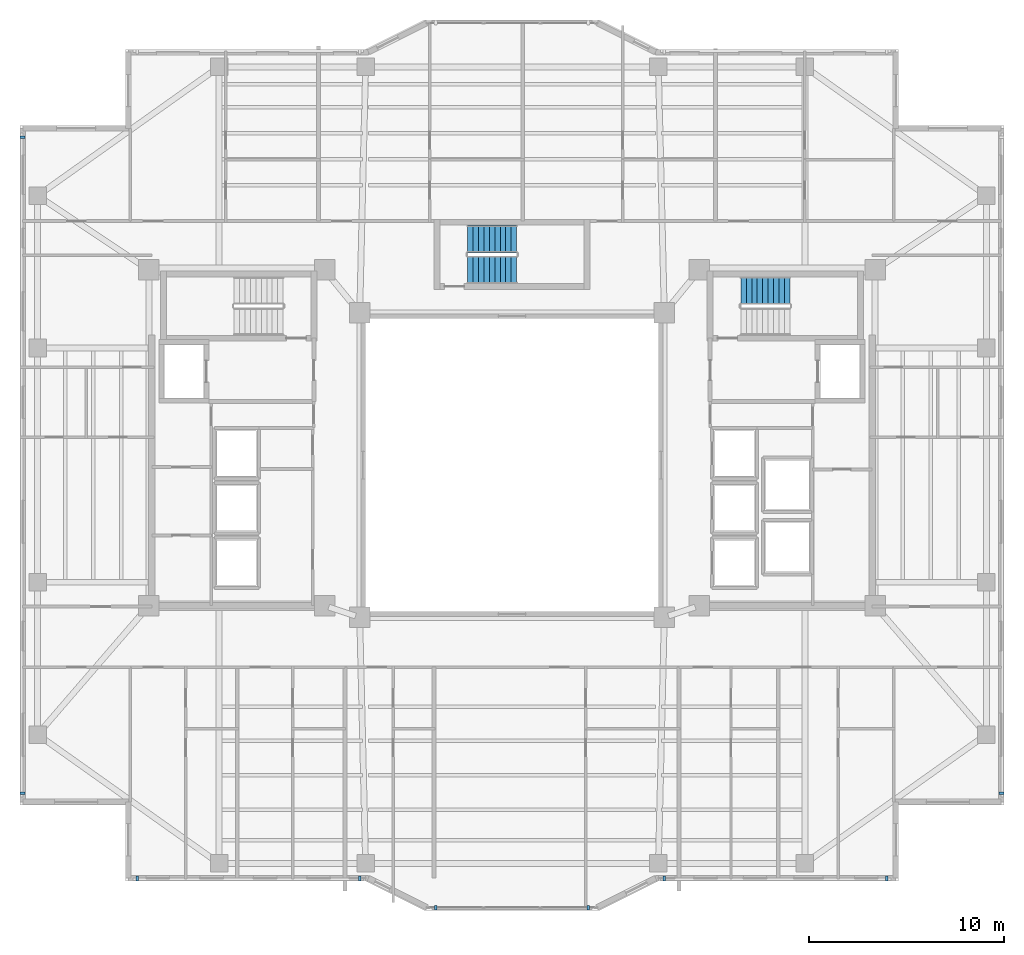
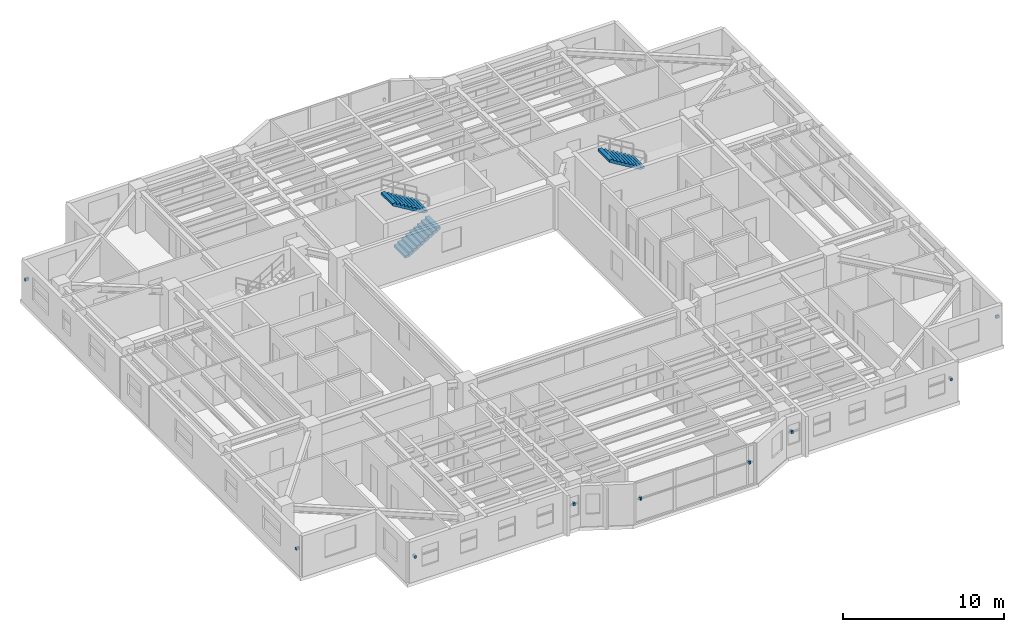
# One storey, part 12 of 16: 9 discrete accessories, 3 stair flights, 2 elements without a shape of their own.
"""IFC4 building model written with IfcOpenShell, lengths in metres."""

import ifcopenshell
import ifcopenshell.guid

model = None  # the IFC model being written
_history = None  # IfcOwnerHistory: only IFC2X3 demands one
_inside = {}  # id of a spatial element -> (the spatial element, [elements in it])
_under = {}  # id of a project, library or spatial element -> (it, [spatial elements below it])
_declared = {}  # id of a project -> (the project, [libraries it declares])
_typed = {}  # id of a type object -> (the type object, [elements of that type])
_made_of = {}  # id of a material, layer set ... -> (it, [elements and type objects made of it])


def new_model(schema):
    """Start an empty IFC model of exactly this schema.

    Asked for "IFC4X3", IfcOpenShell would pick the latest addendum, in which some entities
    have other attributes; the version numbers below select the first issue.
    IFC2X3 requires an IfcOwnerHistory on every rooted entity: one is made here for all.
    """
    global model, _history
    if schema == "IFC4X3":
        model = ifcopenshell.file(schema_version=(4, 3, 0, 0))
    else:
        model = ifcopenshell.file(schema=schema)
    _inside.clear()
    _under.clear()
    _declared.clear()
    _typed.clear()
    _made_of.clear()
    _history = None
    if model.schema == "IFC2X3":
        org = make("IfcOrganization", Name="unknown")
        user = make(
            "IfcPersonAndOrganization",
            ThePerson=make("IfcPerson", FamilyName="unknown"),
            TheOrganization=org,
        )
        app = make(
            "IfcApplication",
            ApplicationDeveloper=org,
            Version="unknown",
            ApplicationFullName="unknown",
            ApplicationIdentifier="unknown",
        )
        _history = make(
            "IfcOwnerHistory",
            OwningUser=user,
            OwningApplication=app,
            ChangeAction="ADDED",
            CreationDate=0,
        )
    return model


def make(cls, **values):
    """One entity of the class cls with the attributes given. An attribute that is None is left unset."""
    return model.create_entity(
        cls, **{name: value for name, value in values.items() if value is not None}
    )


def rooted(cls, **values):
    """An entity with a GlobalId (a new one), such as an element, a storey or a relation."""
    return make(cls, GlobalId=ifcopenshell.guid.new(), OwnerHistory=_history, **values)


def si_unit(unit_type, name, prefix=None):
    """IfcSIUnit, for example si_unit("LENGTHUNIT", "METRE", prefix="MILLI")."""
    return make("IfcSIUnit", UnitType=unit_type, Prefix=prefix, Name=name)


def assignment(units):
    """IfcUnitAssignment: the units of a project."""
    return None if units is None else make("IfcUnitAssignment", Units=units)


def point(xyz):
    """IfcCartesianPoint."""
    return None if xyz is None else make("IfcCartesianPoint", Coordinates=xyz)


def direction(xyz):
    """IfcDirection."""
    return None if xyz is None else make("IfcDirection", DirectionRatios=xyz)


def frame(location, z_axis=None, x_axis=None):
    """IfcAxis2Placement3D, a coordinate frame: its origin and axes. An axis left out is left unset."""
    return make(
        "IfcAxis2Placement3D",
        Location=point(location),
        Axis=direction(z_axis),
        RefDirection=direction(x_axis),
    )


def frame_2d(location, x_axis=None):
    """IfcAxis2Placement2D, a coordinate frame in the plane: its origin and x axis."""
    return make(
        "IfcAxis2Placement2D", Location=point(location), RefDirection=direction(x_axis)
    )


def origin():
    """The frame at (0, 0, 0) with its axes left unset."""
    return frame((0.0, 0.0, 0.0))


def origin_2d():
    """The frame at (0, 0) in the plane with its x axis left unset."""
    return frame_2d((0.0, 0.0))


def place(relative_to, where):
    """IfcLocalPlacement: puts the frame where relative to a parent placement (None: the world)."""
    return make(
        "IfcLocalPlacement", PlacementRelTo=relative_to, RelativePlacement=where
    )


def context(
    kind, dimensions, precision=None, world=None, true_north=None, identifier=None
):
    """IfcGeometricRepresentationContext, for example the 3D "Model" context."""
    return make(
        "IfcGeometricRepresentationContext",
        ContextIdentifier=identifier,
        ContextType=kind,
        CoordinateSpaceDimension=dimensions,
        Precision=precision,
        WorldCoordinateSystem=world,
        TrueNorth=true_north,
    )


def subcontext(parent, identifier, kind, view, scale=None):
    """IfcGeometricRepresentationSubContext, for example "Body" below "Model"."""
    return make(
        "IfcGeometricRepresentationSubContext",
        ContextIdentifier=identifier,
        ContextType=kind,
        ParentContext=parent,
        TargetScale=scale,
        TargetView=view,
    )


def project(units=None, contexts=None):
    """IfcProject with its units and contexts."""
    return rooted(
        "IfcProject",
        Name="project",
        RepresentationContexts=contexts,
        UnitsInContext=assignment(units),
    )


def spatial(cls, under=None, at=None, **own):
    """A site, building, storey or space (cls), placed at a placement, below another one or the project."""
    s = rooted(cls, ObjectPlacement=at, **own)
    if under is not None:
        _under.setdefault(under.id(), (under, []))[1].append(s)
    return s


def polyline(points):
    """IfcPolyline through the points."""
    return make("IfcPolyline", Points=[point(p) for p in points])


def profile(cls, at=None, kind="AREA", **sizes):
    """A parametric profile (cls). Its sizes go by their IFC names, for example OverallWidth=200.0."""
    return make(cls, ProfileType=kind, Position=at, **sizes)


def rectangle(**sizes):
    """IfcRectangleProfileDef."""
    return profile("IfcRectangleProfileDef", **sizes)


def outline(outer, holes=None, kind="AREA"):
    """IfcArbitraryClosedProfileDef: a profile drawn as a closed curve; with holes, ...WithVoids."""
    if holes is None:
        return make("IfcArbitraryClosedProfileDef", ProfileType=kind, OuterCurve=outer)
    return make(
        "IfcArbitraryProfileDefWithVoids",
        ProfileType=kind,
        OuterCurve=outer,
        InnerCurves=holes,
    )


def extrude(swept, where, along, depth):
    """IfcExtrudedAreaSolid: the profile swept, set in the frame where, extruded along a direction by depth."""
    return make(
        "IfcExtrudedAreaSolid",
        SweptArea=swept,
        Position=where,
        ExtrudedDirection=direction(along),
        Depth=depth,
    )


def shape(context_of_items, identifier, shape_type, items):
    """IfcShapeRepresentation: the items that make up one representation, for example the "Body"."""
    return make(
        "IfcShapeRepresentation",
        ContextOfItems=context_of_items,
        RepresentationIdentifier=identifier,
        RepresentationType=shape_type,
        Items=items,
    )


def material(Name=None, Category=None):
    """IfcMaterial."""
    return make("IfcMaterial", Name=Name, Category=Category)


def made_of(thing, what):
    """Note that an element or type object is made of a material, layer set ...; save() writes the relation."""
    if what is not None:
        _made_of.setdefault(what.id(), (what, []))[1].append(thing)
    return thing


def type_object(cls, material=None, **own):
    """A type object (cls), such as IfcWallType, which elements share."""
    return made_of(rooted(cls, **own), material)


def element(
    cls,
    number,
    at=None,
    inside=None,
    cuts=None,
    type_object=None,
    material=None,
    context=None,
    identifier="Body",
    shape_type=None,
    held_by="IfcProductDefinitionShape",
    body=None,
    shapes=None,
    **own,
):
    """One element of the class cls, such as IfcWall. Its Tag is "e" and its number.

    at: its placement. inside: the storey or other place that contains it. cuts: it is an
    opening in that element (IfcRelVoidsElement). A single representation is given by context,
    identifier, shape_type and body (its items); several are given by shapes. held_by: the class
    of the entity that holds the representations. save() writes the other relations.
    """
    e = rooted(cls, Tag="e%d" % number, ObjectPlacement=at, **own)
    if body is not None:
        shapes = [shape(context, identifier, shape_type, body)]
    if shapes is not None:
        e.Representation = make(held_by, Representations=shapes)
    if inside is not None:
        _inside.setdefault(inside.id(), (inside, []))[1].append(e)
    if cuts is not None:
        rooted(
            "IfcRelVoidsElement", RelatingBuildingElement=cuts, RelatedOpeningElement=e
        )
    if type_object is not None:
        _typed.setdefault(type_object.id(), (type_object, []))[1].append(e)
    return made_of(e, material)


def aggregate(whole, parts):
    """IfcRelAggregates: a whole, such as a stair, and the parts it consists of."""
    return rooted("IfcRelAggregates", RelatingObject=whole, RelatedObjects=parts)


def save(model, path):
    """Write the relations noted so far, then the file.

    IfcRelAggregates (storeys below a building ...), IfcRelContainedInSpatialStructure (elements
    in a storey), IfcRelDefinesByType, IfcRelAssociatesMaterial and IfcRelDeclares: one each for
    every whole, place, type object, material and project.
    """
    for whole, parts in _under.values():
        aggregate(whole, parts)
    for where, things in _inside.values():
        rooted(
            "IfcRelContainedInSpatialStructure",
            RelatedElements=things,
            RelatingStructure=where,
        )
    for kind, things in _typed.values():
        rooted("IfcRelDefinesByType", RelatedObjects=things, RelatingType=kind)
    for what, things in _made_of.values():
        rooted("IfcRelAssociatesMaterial", RelatedObjects=things, RelatingMaterial=what)
    for by, libraries in _declared.values():
        rooted("IfcRelDeclares", RelatingContext=by, RelatedDefinitions=libraries)
    model.write(path)


model = new_model("IFC4")

# Units and contexts
model_context = context("Model", 3, precision=1e-05, world=origin(), true_north=direction((0.0, 1.0)))
body_context = subcontext(model_context, "Body", "Model", "MODEL_VIEW")
ifc_project = project(units=[si_unit("LENGTHUNIT", "METRE"), si_unit("AREAUNIT", "SQUARE_METRE"), si_unit("VOLUMEUNIT", "CUBIC_METRE"), si_unit("PLANEANGLEUNIT", "RADIAN"), si_unit("MASSUNIT", "GRAM", prefix="KILO")], contexts=[model_context])

# Site, building, storey
site_placement = place(None, origin())
site = spatial("IfcSite", under=ifc_project, at=site_placement, CompositionType="ELEMENT")
building_placement = place(site_placement, origin())
building = spatial("IfcBuilding", under=site, at=building_placement, Name="Tarnavaz Court Tower", CompositionType="ELEMENT")
storey_placement = place(building_placement, frame((0.0, 0.0, 135.949951171875)))
storey = spatial("IfcBuildingStorey", under=building, at=storey_placement, Name="L36", CompositionType="ELEMENT", Elevation=135.949951171875)

# Stair, stair flight
ifc_material_1 = material(Name="Concrete C40/50", Category="concrete")
stair_type = type_object("IfcStairType", Name="ST-TWR-20R", PredefinedType="HALF_TURN_STAIR", material=ifc_material_1)
stair_1_placement = place(storey_placement, origin())
stair_1 = element("IfcStair", 1, at=stair_1_placement, inside=storey, type_object=stair_type, Name="L36 East Core Pressurized Exit Stair ST-E1", PredefinedType="HALF_TURN_STAIR")
stair_flight_type = type_object("IfcStairFlightType", Name="SFL-RC-20R", PredefinedType="STRAIGHT", material=ifc_material_1)
stair_flight_1_placement = place(storey_placement, frame((14.239990234375, 8.929931640625, 1.675048828125), z_axis=(0.0, 0.0, 1.0), x_axis=(-1.0, 0.0, 0.0)))
stair_flight_1 = element("IfcStairFlight", 2, at=stair_flight_1_placement, type_object=stair_flight_type, Name="ST-E1 flight 2", NumberOfRisers=10, NumberOfTreads=9, PredefinedType="STRAIGHT", RiserHeight=0.1675, TreadLength=0.28, context=body_context, shape_type="SweptSolid", body=[
    extrude(outline(polyline([(0.0, 0.0), (0.0, 0.16748046875), (0.280029296875, 0.16748046875), (0.280029296875, 0.3349609375), (0.56005859375, 0.3349609375), (0.56005859375, 0.50244140625), (0.840087890625, 0.50244140625), (0.840087890625, 0.669921875), (1.1201171875, 0.669921875), (1.1201171875, 0.83740234375), (1.39990234375, 0.83740234375), (1.39990234375, 1.0048828125), (1.679931640625, 1.0048828125), (1.679931640625, 1.172607421875), (1.9599609375, 1.172607421875), (1.9599609375, 1.340087890625), (2.239990234375, 1.340087890625), (2.239990234375, 1.507568359375), (2.52001953125, 1.507568359375), (2.52001953125, 1.675048828125), (2.52001953125, 1.332763671875), (0.2919921875, 0.0), (0.0, 0.0)])), frame((0.0, 0.7099609375, 0.0), z_axis=(0.0, -1.0, 0.0), x_axis=(1.0, 0.0, 0.0)), (0.0, 0.0, 1.0), 1.419921875),
])
aggregate(stair_1, [stair_flight_1])

# Stair, stair flights
stair_2_placement = place(storey_placement, origin())
stair_2 = element("IfcStair", 3, at=stair_2_placement, inside=storey, type_object=stair_type, Name="L36 North Ring Pressurized Exit Stair ST-N1", PredefinedType="HALF_TURN_STAIR")
stair_flight_2_placement = place(storey_placement, frame((-2.280029296875, 10.010009765625, 0.0), z_axis=(0.0, 0.0, 1.0), x_axis=(1.0, 0.0, 0.0)))
stair_flight_2 = element("IfcStairFlight", 4, at=stair_flight_2_placement, type_object=stair_flight_type, Name="ST-N1 flight 1", NumberOfRisers=10, NumberOfTreads=9, PredefinedType="STRAIGHT", RiserHeight=0.1675, TreadLength=0.28, context=body_context, shape_type="SweptSolid", body=[
    extrude(outline(polyline([(0.0, 0.0), (0.0, 0.16748046875), (0.280029296875, 0.16748046875), (0.280029296875, 0.3349609375), (0.56005859375, 0.3349609375), (0.56005859375, 0.50244140625), (0.840087890625, 0.50244140625), (0.840087890625, 0.669921875), (1.1201171875, 0.669921875), (1.1201171875, 0.83740234375), (1.39990234375, 0.83740234375), (1.39990234375, 1.0048828125), (1.679931640625, 1.0048828125), (1.679931640625, 1.172607421875), (1.9599609375, 1.172607421875), (1.9599609375, 1.340087890625), (2.239990234375, 1.340087890625), (2.239990234375, 1.507568359375), (2.52001953125, 1.507568359375), (2.52001953125, 1.675048828125), (2.52001953125, 1.332763671875), (0.2919921875, 0.0), (0.0, 0.0)])), frame((0.0, 0.7099609375, 0.0), z_axis=(0.0, -1.0, 0.0), x_axis=(1.0, 0.0, 0.0)), (0.0, 0.0, 1.0), 1.419921875),
])
stair_flight_3_placement = place(storey_placement, frame((0.239990234375, 11.580078125, 1.675048828125), z_axis=(0.0, 0.0, 1.0), x_axis=(-1.0, 0.0, 0.0)))
stair_flight_3 = element("IfcStairFlight", 5, at=stair_flight_3_placement, type_object=stair_flight_type, Name="ST-N1 flight 2", NumberOfRisers=10, NumberOfTreads=9, PredefinedType="STRAIGHT", RiserHeight=0.1675, TreadLength=0.28, context=body_context, shape_type="SweptSolid", body=[
    extrude(outline(polyline([(0.0, 0.0), (0.0, 0.16748046875), (0.280029296875, 0.16748046875), (0.280029296875, 0.3349609375), (0.56005859375, 0.3349609375), (0.56005859375, 0.50244140625), (0.840087890625, 0.50244140625), (0.840087890625, 0.669921875), (1.1201171875, 0.669921875), (1.1201171875, 0.83740234375), (1.39990234375, 0.83740234375), (1.39990234375, 1.0048828125), (1.679931640625, 1.0048828125), (1.679931640625, 1.172607421875), (1.9599609375, 1.172607421875), (1.9599609375, 1.340087890625), (2.239990234375, 1.340087890625), (2.239990234375, 1.507568359375), (2.52001953125, 1.507568359375), (2.52001953125, 1.675048828125), (2.52001953125, 1.332763671875), (0.2919921875, 0.0), (0.0, 0.0)])), frame((0.0, 0.7099609375, 0.0), z_axis=(0.0, -1.0, 0.0), x_axis=(1.0, 0.0, 0.0)), (0.0, 0.0, 1.0), 1.419921875),
])
aggregate(stair_2, [stair_flight_2, stair_flight_3])

# Discrete accessories
ifc_material_2 = material(Name="Anodised Aluminium 6063-T6", Category="aluminium")
discrete_accessory_type = type_object("IfcDiscreteAccessoryType", Name="DA-BRKT-ALU", PredefinedType="BRACKET", material=ifc_material_2)
for number, where, z_axis, x_axis, name in (
    (6, (-25.070068359375, -16.800048828125, 1.75), (0.0, 0.0, 1.0), (0.0, 1.0, 0.0), "L36 Baguette Outrigger Bracket FBG02-1"),
    (7, (-25.070068359375, 16.800048828125, 1.75), (0.0, 0.0, 1.0), (0.0, 1.0, 0.0), "L36 Baguette Outrigger Bracket FBG02-2"),
    (8, (25.070068359375, -16.800048828125, 1.75), (0.0, 0.0, 1.0), (0.0, -1.0, 0.0), "L36 Baguette Outrigger Bracket FBG12-2"),
    (9, (19.199951171875, -21.169921875, 1.75), (0.0, 0.0, 1.0), (-1.0, 0.0, 0.0), "L36 Baguette Outrigger Bracket FBG15-1"),
    (10, (7.800048828125, -21.169921875, 1.75), (0.0, 0.0, 1.0), (-1.0, 0.0, 0.0), "L36 Baguette Outrigger Bracket FBG15-2"),
    (11, (3.89990234375, -22.669921875, 1.7001953125), (0.0, 0.0, 1.0), (-1.0, 0.0, 0.0), "L36 Baguette Outrigger Bracket PBG17-1"),
    (12, (-3.89990234375, -22.669921875, 1.7001953125), (0.0, 0.0, 1.0), (-1.0, 0.0, 0.0), "L36 Baguette Outrigger Bracket PBG17-2"),
    (13, (-7.800048828125, -21.169921875, 1.75), (0.0, 0.0, 1.0), (-1.0, 0.0, 0.0), "L36 Baguette Outrigger Bracket FBG19-1"),
    (14, (-19.199951171875, -21.169921875, 1.75), (0.0, 0.0, 1.0), (-1.0, 0.0, 0.0), "L36 Baguette Outrigger Bracket FBG19-2"),
):
    element("IfcDiscreteAccessory", number, at=place(storey_placement, frame(where, z_axis=z_axis, x_axis=x_axis)), inside=storey, type_object=discrete_accessory_type, Name=name, PredefinedType="BRACKET", context=body_context, shape_type="SweptSolid", body=[
        extrude(rectangle(XDim=0.139892578125, YDim=0.239990234375, at=origin_2d()), origin(), (0.0, 0.0, 1.0), 0.199951171875),
    ])

save(model, "model.ifc")
